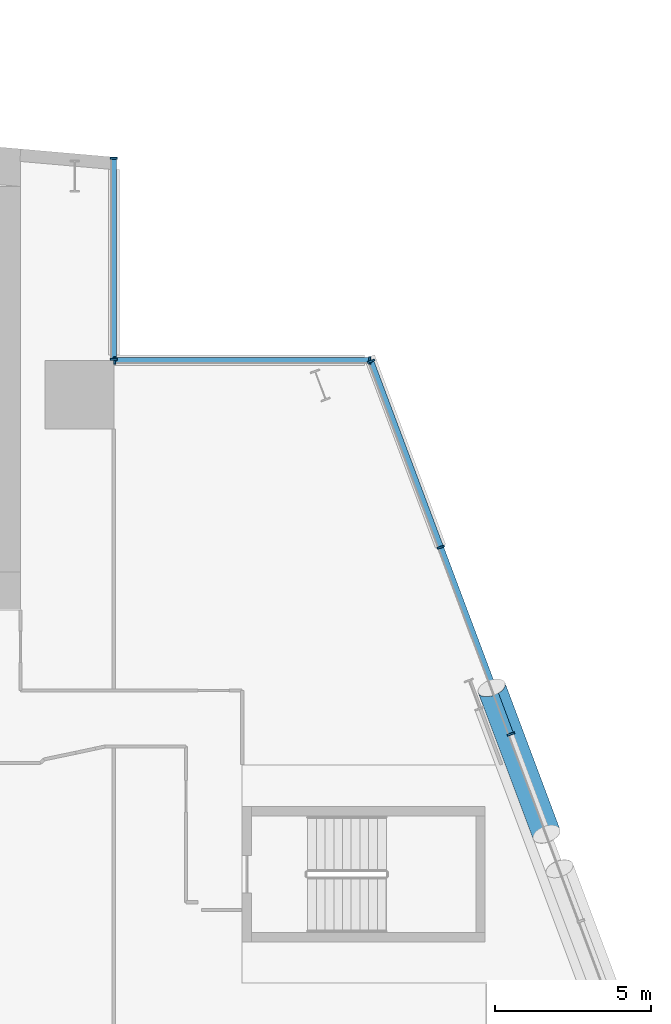
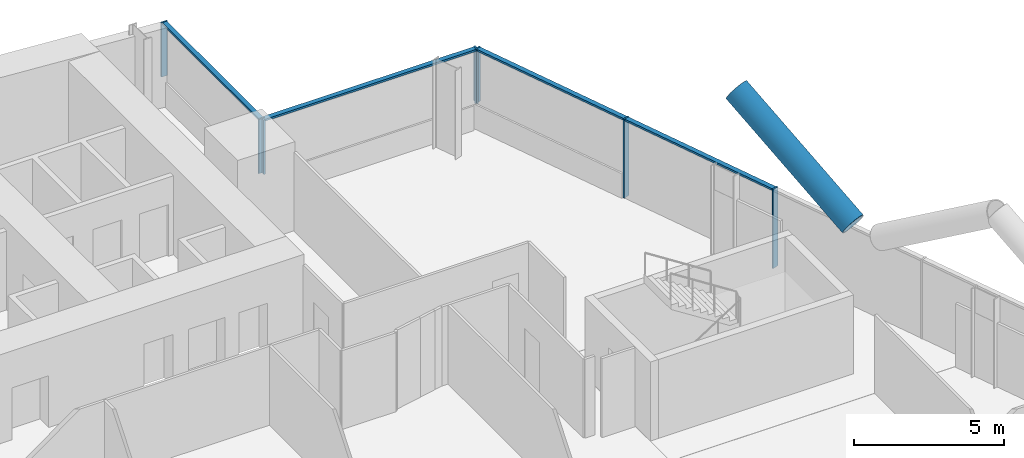
# One storey, part 10 of 27: 12 members, 3 elements without a shape of their own.
"""IFC4 building model written with IfcOpenShell, lengths in metres."""

from ifc_helpers import new_model, si_unit, direction, frame, origin, origin_2d, place, context, subcontext, project, spatial, rectangle, hollow_circle, extrude, material, material_profile, profile_set, type_object, element, aggregate, save


model = new_model("IFC4")

# Units and contexts
model_context = context("Model", 3, precision=1e-05, world=origin(), true_north=direction((0.0, 1.0)))
body_context = subcontext(model_context, "Body", "Model", "MODEL_VIEW")
ifc_project = project(units=[si_unit("LENGTHUNIT", "METRE"), si_unit("AREAUNIT", "SQUARE_METRE"), si_unit("VOLUMEUNIT", "CUBIC_METRE"), si_unit("PLANEANGLEUNIT", "RADIAN"), si_unit("MASSUNIT", "GRAM", prefix="KILO")], contexts=[model_context])

# Site, building, storey
site_placement = place(None, origin())
site = spatial("IfcSite", under=ifc_project, at=site_placement, CompositionType="ELEMENT")
building_placement = place(site_placement, origin())
building = spatial("IfcBuilding", under=site, at=building_placement, Name="Wharfspan Tower", CompositionType="ELEMENT")
storey_placement = place(building_placement, frame((0.0, 0.0, 84.699951)))
storey = spatial("IfcBuildingStorey", under=building, at=storey_placement, Name="L18", CompositionType="ELEMENT", Elevation=84.699951)

# Curtain wall, members
ifc_material_1 = material(Name="Aluminium 6063-T6", Category="aluminium")
curtain_wall_type = type_object("IfcCurtainWallType", Name="CURTAIN WALL PROW AND END", PredefinedType="NOTDEFINED", material=ifc_material_1)
curtain_wall_1_placement = place(storey_placement, origin())
curtain_wall_1 = element("IfcCurtainWall", 1, at=curtain_wall_1_placement, inside=storey, type_object=curtain_wall_type, Name="Curtain wall E", PredefinedType="NOTDEFINED")
ifc_material_profile_1 = material_profile(ifc_material_1, rectangle(XDim=0.23999, YDim=0.060059, at=origin_2d()))
ifc_profile_set_1 = profile_set([ifc_material_profile_1], Name="Aluminium 6063-T6")
member_type_1 = type_object("IfcMemberType", Name="MULLION PROW AND END 60x240", PredefinedType="MULLION", material=ifc_profile_set_1)
member_1_placement = place(storey_placement, frame((80.75, 30.0, 0.0), z_axis=(0.0, 0.0, 1.0), x_axis=(-0.936328, -0.351123, 0.0)))
member_1 = element("IfcMember", 2, at=member_1_placement, type_object=member_type_1, Name="Curtain wall E mullion 6", PredefinedType="MULLION", context=body_context, shape_type="SweptSolid", body=[
    extrude(rectangle(XDim=0.23999, YDim=0.060059, at=origin_2d()), origin(), (0.0, 0.0, 1.0), 3.199951),
])
member_2_placement = place(storey_placement, frame((78.5, 36.0, 0.0), z_axis=(0.0, 0.0, 1.0), x_axis=(-0.936328, -0.351123, 0.0)))
member_2 = element("IfcMember", 3, at=member_2_placement, type_object=member_type_1, Name="Curtain wall E mullion 7", PredefinedType="MULLION", context=body_context, shape_type="SweptSolid", body=[
    extrude(rectangle(XDim=0.23999, YDim=0.060059, at=origin_2d()), origin(), (0.0, 0.0, 1.0), 3.199951),
])
member_3_placement = place(storey_placement, frame((76.260498, 41.971924, 1.0), z_axis=(0.0, 0.0, 1.0), x_axis=(-0.936328, -0.351123, 0.0)))
member_3 = element("IfcMember", 4, at=member_3_placement, type_object=member_type_1, Name="Curtain wall E mullion 8", PredefinedType="MULLION", context=body_context, shape_type="SweptSolid", body=[
    extrude(rectangle(XDim=0.23999, YDim=0.060059, at=origin_2d()), origin(), (0.0, 0.0, 1.0), 2.199951),
])

curtain_wall_2_placement = place(storey_placement, origin())
curtain_wall_2 = element("IfcCurtainWall", 5, at=curtain_wall_2_placement, inside=storey, type_object=curtain_wall_type, Name="Curtain wall NRE-H", PredefinedType="NOTDEFINED")
member_4_placement = place(storey_placement, frame((76.219971, 42.0, 1.0), z_axis=(0.0, 0.0, 1.0), x_axis=(0.0, -1.0, 0.0)))
member_4 = element("IfcMember", 6, at=member_4_placement, type_object=member_type_1, Name="Curtain wall NRE-H mullion 1", PredefinedType="MULLION", context=body_context, shape_type="SweptSolid", body=[
    extrude(rectangle(XDim=0.23999, YDim=0.060059, at=origin_2d()), origin(), (0.0, 0.0, 1.0), 2.199951),
])
member_5_placement = place(storey_placement, frame((68.030029, 42.0, 1.0), z_axis=(0.0, 0.0, 1.0), x_axis=(0.0, -1.0, 0.0)))
member_5 = element("IfcMember", 7, at=member_5_placement, type_object=member_type_1, Name="Curtain wall NRE-H mullion 2", PredefinedType="MULLION", context=body_context, shape_type="SweptSolid", body=[
    extrude(rectangle(XDim=0.23999, YDim=0.060059, at=origin_2d()), origin(), (0.0, 0.0, 1.0), 2.199951),
])

curtain_wall_3_placement = place(storey_placement, origin())
curtain_wall_3 = element("IfcCurtainWall", 8, at=curtain_wall_3_placement, inside=storey, type_object=curtain_wall_type, Name="Curtain wall NRE-V", PredefinedType="NOTDEFINED")
member_6_placement = place(storey_placement, frame((68.0, 42.030029, 1.0), z_axis=(0.0, 0.0, 1.0), x_axis=(-1.0, 0.0, 0.0)))
member_6 = element("IfcMember", 9, at=member_6_placement, type_object=member_type_1, Name="Curtain wall NRE-V mullion 1", PredefinedType="MULLION", context=body_context, shape_type="SweptSolid", body=[
    extrude(rectangle(XDim=0.23999, YDim=0.060059, at=origin_2d()), origin(), (0.0, 0.0, 1.0), 2.199951),
])
member_7_placement = place(storey_placement, frame((68.0, 48.494873, 1.0), z_axis=(0.0, 0.0, 1.0), x_axis=(-1.0, 0.0, 0.0)))
member_7 = element("IfcMember", 10, at=member_7_placement, type_object=member_type_1, Name="Curtain wall NRE-V mullion 2", PredefinedType="MULLION", context=body_context, shape_type="SweptSolid", body=[
    extrude(rectangle(XDim=0.23999, YDim=0.060059, at=origin_2d()), origin(), (0.0, 0.0, 1.0), 2.199951),
])

# Member
ifc_material_2 = material(Name="Steel S460NH", Category="steel")
ifc_material_profile_2 = material_profile(ifc_material_2, hollow_circle(Radius=0.457031, WallThickness=0.040039, at=origin_2d()))
ifc_profile_set_2 = profile_set([ifc_material_profile_2], Name="Steel S460NH")
member_type_2 = type_object("IfcMemberType", Name="Mega brace CHS 914x40", PredefinedType="BRACE", material=ifc_profile_set_2)
member_8_placement = place(storey_placement, frame((81.895508, 26.788574, 3.282715), z_axis=(-0.295466, 0.787922, 0.540259), x_axis=(-0.936329, -0.351115, -4e-06)))
element("IfcMember", 11, at=member_8_placement, inside=storey, type_object=member_type_2, Name="Mega brace E6 L18 part 2", PredefinedType="BRACE", context=body_context, shape_type="SweptSolid", body=[
    extrude(hollow_circle(Radius=0.457031, WallThickness=0.040039, at=origin_2d()), origin(), (0.0, 0.0, 1.0), 5.955078),
])

ifc_material_profile_3 = material_profile(ifc_material_1, rectangle(XDim=0.179932, YDim=0.080078, at=origin_2d()))
ifc_profile_set_3 = profile_set([ifc_material_profile_3], Name="Aluminium 6063-T6")
member_type_3 = type_object("IfcMemberType", Name="TRANSOM PROW AND END 80x180", PredefinedType="USERDEFINED", material=ifc_profile_set_3)
member_9_placement = place(storey_placement, frame((80.739502, 30.028076, 3.160156), z_axis=(-0.351132, 0.936326, 0.0), x_axis=(-0.936326, -0.351132, 0.0)))
member_9 = element("IfcMember", 12, at=member_9_placement, type_object=member_type_3, Name="Curtain wall E transom 6", ObjectType="TRANSOM", PredefinedType="USERDEFINED", context=body_context, shape_type="SweptSolid", body=[
    extrude(rectangle(XDim=0.179932, YDim=0.080078, at=origin_2d()), origin(), (0.0, 0.0, 1.0), 6.348145),
])

member_10_placement = place(storey_placement, frame((78.489502, 36.028076, 3.160156), z_axis=(-0.351136, 0.936324, 0.0), x_axis=(-0.936324, -0.351136, 0.0)))
member_10 = element("IfcMember", 13, at=member_10_placement, type_object=member_type_3, Name="Curtain wall E transom 7", ObjectType="TRANSOM", PredefinedType="USERDEFINED", context=body_context, shape_type="SweptSolid", body=[
    extrude(rectangle(XDim=0.179932, YDim=0.080078, at=origin_2d()), origin(), (0.0, 0.0, 1.0), 6.318115),
])

aggregate(curtain_wall_1, [member_1, member_2, member_3, member_9, member_10])

member_11_placement = place(storey_placement, frame((76.189941, 42.0, 3.160156), z_axis=(-1.0, 0.0, 0.0), x_axis=(0.0, -1.0, 0.0)))
member_11 = element("IfcMember", 14, at=member_11_placement, type_object=member_type_3, Name="Curtain wall NRE-H transom 1", ObjectType="TRANSOM", PredefinedType="USERDEFINED", context=body_context, shape_type="SweptSolid", body=[
    extrude(rectangle(XDim=0.179932, YDim=0.080078, at=origin_2d()), origin(), (0.0, 0.0, 1.0), 8.129883),
])

aggregate(curtain_wall_2, [member_4, member_5, member_11])

member_12_placement = place(storey_placement, frame((68.0, 42.060059, 3.160156), z_axis=(0.0, 1.0, 0.0), x_axis=(-1.0, 0.0, 0.0)))
member_12 = element("IfcMember", 15, at=member_12_placement, type_object=member_type_3, Name="Curtain wall NRE-V transom 1", ObjectType="TRANSOM", PredefinedType="USERDEFINED", context=body_context, shape_type="SweptSolid", body=[
    extrude(rectangle(XDim=0.179932, YDim=0.080078, at=origin_2d()), origin(), (0.0, 0.0, 1.0), 6.404785),
])

aggregate(curtain_wall_3, [member_6, member_7, member_12])

save(model, "model.ifc")
